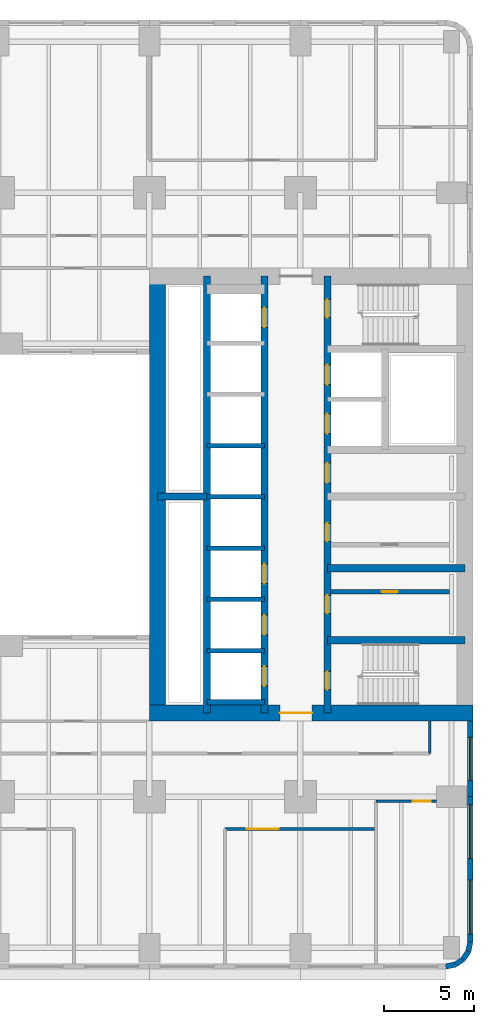
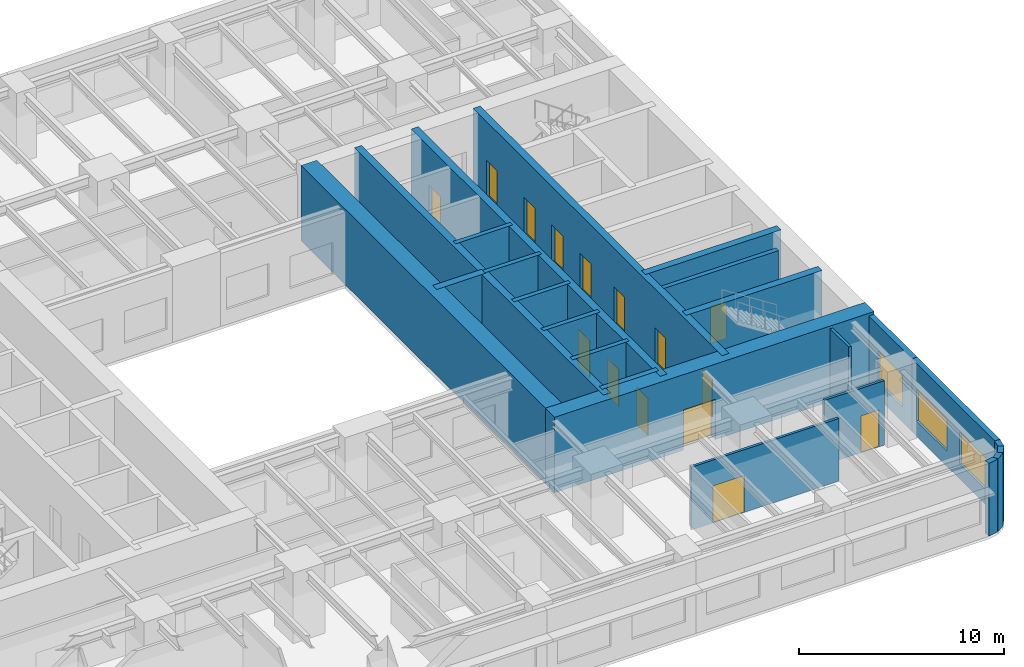
# One storey, part 5 of 14: 24 walls, 15 doors, 3 windows, 18 openings.
"""IFC4 building model written with IfcOpenShell, lengths in metres."""

from ifc_helpers import new_model, si_unit, direction, frame, frame_2d, origin, place, context, subcontext, project, spatial, rectangle, extrude, material, layer, layer_set, type_object, element, fill, save


model = new_model("IFC4")

# Units and contexts
model_context = context("Model", 3, precision=1e-05, world=origin(), true_north=direction((0.0, 1.0)))
body_context = subcontext(model_context, "Body", "Model", "MODEL_VIEW")
ifc_project = project(units=[si_unit("LENGTHUNIT", "METRE"), si_unit("AREAUNIT", "SQUARE_METRE"), si_unit("VOLUMEUNIT", "CUBIC_METRE"), si_unit("PLANEANGLEUNIT", "RADIAN"), si_unit("MASSUNIT", "GRAM", prefix="KILO")], contexts=[model_context])

# Site, building, storey
site_placement = place(None, origin())
site = spatial("IfcSite", under=ifc_project, at=site_placement, CompositionType="ELEMENT")
building_placement = place(site_placement, origin())
building = spatial("IfcBuilding", under=site, at=building_placement, Name="Claustro Exchange Tower", CompositionType="ELEMENT")
storey_placement = place(building_placement, frame((0.0, 0.0, 72.89990234375)))
storey = spatial("IfcBuildingStorey", under=building, at=storey_placement, Name="L16", CompositionType="ELEMENT", Elevation=72.89990234375)

# Wall, opening, door
ifc_material_1 = material(Name="Gypsum board on steel studs", Category="steel")
ifc_layer_1 = layer(ifc_material_1, 0.14990234375)
ifc_layer_set_1 = layer_set([ifc_layer_1], Name="Gypsum board on steel studs")
wall_type_1 = type_object("IfcWallType", Name="P1 150 plasterboard partition", PredefinedType="PARTITIONING", material=ifc_layer_set_1)
wall_1_placement = place(storey_placement, frame((46.199951171875, 8.14990234375, 0.0), z_axis=(0.0, 0.0, 1.0), x_axis=(1.0, 0.0, 0.0)))
wall_1 = element("IfcWall", 1, at=wall_1_placement, inside=storey, type_object=wall_type_1, Name="Partition P1 L16", PredefinedType="PARTITIONING", context=body_context, shape_type="SweptSolid", body=[
    extrude(rectangle(XDim=3.3759765625, YDim=0.14990234375, at=frame_2d((1.68798828125, 0.0))), origin(), (0.0, 0.0, 1.0), 3.840087890625),
])
opening_1_placement = place(wall_1_placement, frame((2.050048828125, 0.0, 0.0)))
opening_1 = element("IfcOpeningElement", 2, at=opening_1_placement, cuts=wall_1, Name="Opening D1", PredefinedType="OPENING", context=body_context, shape_type="SweptSolid", body=[
    extrude(rectangle(XDim=1.0, YDim=2.199951171875, at=frame_2d((0.5, 1.10009765625))), frame((0.0, 0.0849609375, 0.0), z_axis=(0.0, -1.0, 0.0), x_axis=(1.0, 0.0, 0.0)), (0.0, 0.0, 1.0), 0.169921875),
])
ifc_material_2 = material(Name="Timber door, oak veneer", Category="wood")
door_type_1 = type_object("IfcDoorType", Name="D1 1000 x 2200 single door", OperationType="SINGLE_SWING_LEFT", PredefinedType="DOOR", material=ifc_material_2)
door_1_placement = place(opening_1_placement, frame((1.0, 0.0, 0.0), z_axis=(0.0, 0.0, 1.0), x_axis=(-1.0, 0.0, 0.0)))
door_1 = element("IfcDoor", 3, at=door_1_placement, inside=storey, type_object=door_type_1, Name="Door D1 L16", OperationType="SINGLE_SWING_RIGHT", OverallHeight=2.199951171875, OverallWidth=1.0, PredefinedType="DOOR", context=body_context, shape_type="SweptSolid", body=[
    extrude(rectangle(XDim=1.0, YDim=2.199951171875, at=frame_2d((0.5, 1.10009765625))), frame((0.0, 0.02490234375, 0.0), z_axis=(0.0, -1.0, 0.0), x_axis=(1.0, 0.0, 0.0)), (0.0, 0.0, 1.0), 0.050048828125),
])
fill(opening_1, door_1)

wall_2_placement = place(storey_placement, frame((37.800048828125, 6.60009765625, 0.0), z_axis=(0.0, 0.0, 1.0), x_axis=(1.0, 0.0, 0.0)))
wall_2 = element("IfcWall", 4, at=wall_2_placement, inside=storey, type_object=wall_type_1, Name="Partition P1 L16", PredefinedType="PARTITIONING", context=body_context, shape_type="SweptSolid", body=[
    extrude(rectangle(XDim=8.325927734375, YDim=0.14990234375, at=frame_2d((4.1630859375, 0.0))), origin(), (0.0, 0.0, 1.0), 3.739990234375),
])
opening_2_placement = place(wall_2_placement, frame((1.199951171875, 0.0, 0.0)))
opening_2 = element("IfcOpeningElement", 5, at=opening_2_placement, cuts=wall_2, Name="Opening D2", PredefinedType="OPENING", context=body_context, shape_type="SweptSolid", body=[
    extrude(rectangle(XDim=1.800048828125, YDim=2.199951171875, at=frame_2d((0.89990234375, 1.10009765625))), frame((0.0, 0.0849609375, 0.0), z_axis=(0.0, -1.0, 0.0), x_axis=(1.0, 0.0, 0.0)), (0.0, 0.0, 1.0), 0.169921875),
])
ifc_material_3 = material(Name="Timber door, oak veneer", Category="wood")
door_type_2 = type_object("IfcDoorType", Name="D2 1800 x 2200 double door", OperationType="DOUBLE_DOOR_SINGLE_SWING", PredefinedType="DOOR", material=ifc_material_3)
door_2_placement = place(opening_2_placement, frame((1.800048828125, 0.0, 0.0), z_axis=(0.0, 0.0, 1.0), x_axis=(-1.0, 0.0, 0.0)))
door_2 = element("IfcDoor", 6, at=door_2_placement, inside=storey, type_object=door_type_2, Name="Double door D2 L16", OperationType="DOUBLE_DOOR_SINGLE_SWING", OverallHeight=2.199951171875, OverallWidth=1.800048828125, PredefinedType="DOOR", context=body_context, shape_type="SweptSolid", body=[
    extrude(rectangle(XDim=1.800048828125, YDim=2.199951171875, at=frame_2d((0.89990234375, 1.10009765625))), frame((0.0, 0.02490234375, 0.0), z_axis=(0.0, -1.0, 0.0), x_axis=(1.0, 0.0, 0.0)), (0.0, 0.0, 1.0), 0.050048828125),
])
fill(opening_2, door_2)

# Wall
wall_3_placement = place(storey_placement, frame((49.199951171875, 10.800048828125, 0.0), z_axis=(0.0, 0.0, 1.0), x_axis=(0.0, 1.0, 0.0)))
element("IfcWall", 7, at=wall_3_placement, inside=storey, type_object=wall_type_1, Name="Partition P1 L16", PredefinedType="PARTITIONING", context=body_context, shape_type="SweptSolid", body=[
    extrude(rectangle(XDim=1.802001953125, YDim=0.14990234375, at=frame_2d((0.90087890625, 0.0))), origin(), (0.0, 0.0, 1.0), 4.340087890625),
])

# Wall, opening, door
ifc_material_4 = material(Name="Concrete blockwork, rendered", Category="masonry")
ifc_layer_2 = layer(ifc_material_4, 0.25)
ifc_layer_set_2 = layer_set([ifc_layer_2], Name="Concrete blockwork, rendered")
wall_type_2 = type_object("IfcWallType", Name="P4 250 blockwork wall", PredefinedType="PARTITIONING", material=ifc_layer_set_2)
wall_4_placement = place(storey_placement, frame((43.699951171875, 19.800048828125, 0.0), z_axis=(0.0, 0.0, 1.0), x_axis=(1.0, 0.0, 0.0)))
wall_4 = element("IfcWall", 8, at=wall_4_placement, inside=storey, type_object=wall_type_2, Name="Partition P4 L16", PredefinedType="PARTITIONING", context=body_context, shape_type="SweptSolid", body=[
    extrude(rectangle(XDim=6.60009765625, YDim=0.25, at=frame_2d((3.300048828125, 0.0))), origin(), (0.0, 0.0, 1.0), 4.300048828125),
])
opening_3_placement = place(wall_4_placement, frame((2.824951171875, 0.0, 0.0)))
opening_3 = element("IfcOpeningElement", 9, at=opening_3_placement, cuts=wall_4, Name="Opening D5", PredefinedType="OPENING", context=body_context, shape_type="SweptSolid", body=[
    extrude(rectangle(XDim=0.89990234375, YDim=2.199951171875, at=frame_2d((0.449951171875, 1.10009765625))), frame((0.0, 0.135009765625, 0.0), z_axis=(0.0, -1.0, 0.0), x_axis=(1.0, 0.0, 0.0)), (0.0, 0.0, 1.0), 0.27001953125),
])
ifc_material_5 = material(Name="Steel door, painted", Category="steel")
door_type_3 = type_object("IfcDoorType", Name="D5 900 x 2200 store door", OperationType="SINGLE_SWING_LEFT", PredefinedType="DOOR", material=ifc_material_5)
door_3_placement = place(opening_3_placement, origin())
door_3 = element("IfcDoor", 10, at=door_3_placement, inside=storey, type_object=door_type_3, Name="Store door D5 L16", OperationType="SINGLE_SWING_RIGHT", OverallHeight=2.199951171875, OverallWidth=0.89990234375, PredefinedType="DOOR", context=body_context, shape_type="SweptSolid", body=[
    extrude(rectangle(XDim=0.89990234375, YDim=2.199951171875, at=frame_2d((0.449951171875, 1.10009765625))), frame((0.0, 0.02490234375, 0.0), z_axis=(0.0, -1.0, 0.0), x_axis=(1.0, 0.0, 0.0)), (0.0, 0.0, 1.0), 0.050048828125),
])
fill(opening_3, door_3)

# Wall, opening, window
ifc_material_6 = material(Name="Concrete HA-40 (C40/50), precast, white cement, acid-etched", Category="concrete")
ifc_layer_3 = layer(ifc_material_6, 0.300048828125)
ifc_layer_set_3 = layer_set([ifc_layer_3], Name="Concrete HA-40 (C40/50), precast, white cement, acid-etched")
wall_type_3 = type_object("IfcWallType", Name="PC1 300 precast concrete pier panel", PredefinedType="SOLIDWALL", material=ifc_layer_set_3)
wall_5_placement = place(storey_placement, frame((51.449951171875, 12.60009765625, 0.0), z_axis=(0.0, 0.0, 1.0), x_axis=(0.0, -1.0, 0.0)))
wall_5 = element("IfcWall", 11, at=wall_5_placement, inside=storey, type_object=wall_type_3, Name="Precast pier panel PC1 L16", PredefinedType="SOLIDWALL", context=body_context, shape_type="SweptSolid", body=[
    extrude(rectangle(XDim=4.2001953125, YDim=0.300048828125, at=frame_2d((2.10009765625, 0.0))), origin(), (0.0, 0.0, 1.0), 4.340087890625),
])
opening_4_placement = place(wall_5_placement, frame((0.89990234375, 0.0, 0.89990234375)))
opening_4 = element("IfcOpeningElement", 12, at=opening_4_placement, cuts=wall_5, Name="Opening W2", PredefinedType="OPENING", context=body_context, shape_type="SweptSolid", body=[
    extrude(rectangle(XDim=2.39990234375, YDim=1.89990234375, at=frame_2d((1.199951171875, 0.949951171875))), frame((0.0, 0.159912109375, 0.0), z_axis=(0.0, -1.0, 0.0), x_axis=(1.0, 0.0, 0.0)), (0.0, 0.0, 1.0), 0.320068359375),
])
ifc_material_7 = material(Name="Aluminium frame, clear double glazing", Category="aluminium")
window_type_1 = type_object("IfcWindowType", Name="W2 2400 x 1900 window", PartitioningType="SINGLE_PANEL", PredefinedType="WINDOW", material=ifc_material_7)
window_1_placement = place(opening_4_placement, origin())
window_1 = element("IfcWindow", 13, at=window_1_placement, inside=storey, type_object=window_type_1, Name="Window W2 L16", OverallHeight=1.89990234375, OverallWidth=2.39990234375, PartitioningType="SINGLE_PANEL", PredefinedType="WINDOW", context=body_context, shape_type="SweptSolid", body=[
    extrude(rectangle(XDim=2.39990234375, YDim=1.89990234375, at=frame_2d((1.199951171875, 0.949951171875))), frame((0.0, 0.030029296875, 0.0), z_axis=(0.0, -1.0, 0.0), x_axis=(1.0, 0.0, 0.0)), (0.0, 0.0, 1.0), 0.06005859375),
])
fill(opening_4, window_1)

# Wall, openings, windows
wall_6_placement = place(storey_placement, frame((51.449951171875, 8.39990234375, 0.0), z_axis=(0.0, 0.0, 1.0), x_axis=(0.0, -1.0, 0.0)))
wall_6 = element("IfcWall", 14, at=wall_6_placement, inside=storey, type_object=wall_type_3, Name="Precast pier panel PC1 L16", PredefinedType="SOLIDWALL", context=body_context, shape_type="SweptSolid", body=[
    extrude(rectangle(XDim=8.085205078125, YDim=0.300048828125, at=frame_2d((4.04248046875, 0.0))), origin(), (0.0, 0.0, 1.0), 4.340087890625),
])
opening_5_placement = place(wall_6_placement, frame((0.442626953125, 0.0, 0.89990234375)))
opening_5 = element("IfcOpeningElement", 15, at=opening_5_placement, cuts=wall_6, Name="Opening W1", PredefinedType="OPENING", context=body_context, shape_type="SweptSolid", body=[
    extrude(rectangle(XDim=3.0, YDim=1.89990234375, at=frame_2d((1.5, 0.949951171875))), frame((0.0, 0.159912109375, 0.0), z_axis=(0.0, -1.0, 0.0), x_axis=(1.0, 0.0, 0.0)), (0.0, 0.0, 1.0), 0.320068359375),
])
opening_6_placement = place(wall_6_placement, frame((4.642578125, 0.0, 0.89990234375)))
opening_6 = element("IfcOpeningElement", 16, at=opening_6_placement, cuts=wall_6, Name="Opening W1", PredefinedType="OPENING", context=body_context, shape_type="SweptSolid", body=[
    extrude(rectangle(XDim=3.0, YDim=1.89990234375, at=frame_2d((1.5, 0.949951171875))), frame((0.0, 0.159912109375, 0.0), z_axis=(0.0, -1.0, 0.0), x_axis=(1.0, 0.0, 0.0)), (0.0, 0.0, 1.0), 0.320068359375),
])
ifc_material_8 = material(Name="Aluminium frame, clear double glazing", Category="aluminium")
window_type_2 = type_object("IfcWindowType", Name="W1 3000 x 1900 window", PartitioningType="SINGLE_PANEL", PredefinedType="WINDOW", material=ifc_material_8)
window_2_placement = place(opening_5_placement, origin())
window_2 = element("IfcWindow", 17, at=window_2_placement, inside=storey, type_object=window_type_2, Name="Window W1 L16", OverallHeight=1.89990234375, OverallWidth=3.0, PartitioningType="SINGLE_PANEL", PredefinedType="WINDOW", context=body_context, shape_type="SweptSolid", body=[
    extrude(rectangle(XDim=3.0, YDim=1.89990234375, at=frame_2d((1.5, 0.949951171875))), frame((0.0, 0.030029296875, 0.0), z_axis=(0.0, -1.0, 0.0), x_axis=(1.0, 0.0, 0.0)), (0.0, 0.0, 1.0), 0.06005859375),
])
fill(opening_5, window_2)
window_3_placement = place(opening_6_placement, origin())
window_3 = element("IfcWindow", 18, at=window_3_placement, inside=storey, type_object=window_type_2, Name="Window W1 L16", OverallHeight=1.89990234375, OverallWidth=3.0, PartitioningType="SINGLE_PANEL", PredefinedType="WINDOW", context=body_context, shape_type="SweptSolid", body=[
    extrude(rectangle(XDim=3.0, YDim=1.89990234375, at=frame_2d((1.5, 0.949951171875))), frame((0.0, 0.030029296875, 0.0), z_axis=(0.0, -1.0, 0.0), x_axis=(1.0, 0.0, 0.0)), (0.0, 0.0, 1.0), 0.06005859375),
])
fill(opening_6, window_3)

# Walls
wall_7_placement = place(storey_placement, frame((51.449951171875, 0.314697265625, 0.0), z_axis=(0.0, 0.0, 1.0), x_axis=(-0.195073962632, -0.980788534345, 0.0)))
element("IfcWall", 19, at=wall_7_placement, inside=storey, type_object=wall_type_3, Name="Precast pier panel PC1 L16", PredefinedType="SOLIDWALL", context=body_context, shape_type="SweptSolid", body=[
    extrude(rectangle(XDim=0.540771484375, YDim=0.300048828125, at=frame_2d((0.2705078125, 0.0))), origin(), (0.0, 0.0, 1.0), 4.340087890625),
])
for number, where, z_axis, x_axis, name in (
    (20, (51.344482421875, -0.215576171875, 0.0), (0.0, 0.0, 1.0), (-0.555557463938, -0.831478144188, 0.0), "Precast pier panel PC1 L16"),
    (21, (51.052490234375, -0.652587890625, 0.0), (0.0, 0.0, 1.0), (-0.831478144188, -0.555557463938, 0.0), "Precast pier panel PC1 L16"),
):
    element("IfcWall", number, at=place(storey_placement, frame(where, z_axis=z_axis, x_axis=x_axis)), inside=storey, type_object=wall_type_3, Name=name, PredefinedType="SOLIDWALL", context=body_context, shape_type="SweptSolid", body=[
        extrude(rectangle(XDim=0.525634765625, YDim=0.300048828125, at=frame_2d((0.2626953125, 0.0))), origin(), (0.0, 0.0, 1.0), 4.340087890625),
    ])
wall_8_placement = place(storey_placement, frame((50.615478515625, -0.944580078125, 0.0), z_axis=(0.0, 0.0, 1.0), x_axis=(-0.980788534345, -0.195073962632, 0.0)))
element("IfcWall", 22, at=wall_8_placement, inside=storey, type_object=wall_type_3, Name="Precast pier panel PC1 L16", PredefinedType="SOLIDWALL", context=body_context, shape_type="SweptSolid", body=[
    extrude(rectangle(XDim=0.540771484375, YDim=0.300048828125, at=frame_2d((0.2705078125, 0.0))), origin(), (0.0, 0.0, 1.0), 4.340087890625),
])

# Wall, opening, door
ifc_material_9 = material(Name="Concrete HA-70 (C70/85)", Category="concrete")
ifc_layer_4 = layer(ifc_material_9, 0.89990234375)
ifc_layer_set_4 = layer_set([ifc_layer_4], Name="Concrete HA-70 (C70/85)")
wall_type_4 = type_object("IfcWallType", Name="SW1 900 core shear wall", PredefinedType="SHEAR", material=ifc_layer_set_4)
wall_9_placement = place(storey_placement, frame((33.60009765625, 13.050048828125, 0.0), z_axis=(0.0, 0.0, 1.0), x_axis=(1.0, 0.0, 0.0)))
wall_9 = element("IfcWall", 23, at=wall_9_placement, inside=storey, type_object=wall_type_4, Name="Core wall SW1 E core S face L16", PredefinedType="SHEAR", context=body_context, shape_type="SweptSolid", body=[
    extrude(rectangle(XDim=18.0, YDim=0.89990234375, at=frame_2d((9.0, 0.0))), origin(), (0.0, 0.0, 1.0), 4.5),
])
opening_7_placement = place(wall_9_placement, frame((7.25, 0.0, 0.0)))
opening_7 = element("IfcOpeningElement", 24, at=opening_7_placement, cuts=wall_9, Name="Opening D3", PredefinedType="OPENING", context=body_context, shape_type="SweptSolid", body=[
    extrude(rectangle(XDim=1.800048828125, YDim=2.39990234375, at=frame_2d((0.89990234375, 1.199951171875))), frame((0.0, 0.4599609375, 0.0), z_axis=(0.0, -1.0, 0.0), x_axis=(1.0, 0.0, 0.0)), (0.0, 0.0, 1.0), 0.919921875),
])
ifc_material_10 = material(Name="Steel fire door, painted", Category="steel")
door_type_4 = type_object("IfcDoorType", Name="D3 1800 x 2400 fire-rated lobby double door", OperationType="DOUBLE_DOOR_SINGLE_SWING", PredefinedType="DOOR", material=ifc_material_10)
door_4_placement = place(opening_7_placement, origin())
door_4 = element("IfcDoor", 25, at=door_4_placement, inside=storey, type_object=door_type_4, Name="Lift lobby door D3 L16", OperationType="DOUBLE_DOOR_SINGLE_SWING", OverallHeight=2.39990234375, OverallWidth=1.800048828125, PredefinedType="DOOR", context=body_context, shape_type="SweptSolid", body=[
    extrude(rectangle(XDim=1.800048828125, YDim=2.39990234375, at=frame_2d((0.89990234375, 1.199951171875))), frame((0.0, 0.02490234375, 0.0), z_axis=(0.0, -1.0, 0.0), x_axis=(1.0, 0.0, 0.0)), (0.0, 0.0, 1.0), 0.050048828125),
])
fill(opening_7, door_4)

# Wall
ifc_material_11 = material(Name="Concrete HA-70 (C70/85)", Category="concrete")
ifc_layer_5 = layer(ifc_material_11, 0.89990234375)
ifc_layer_set_5 = layer_set([ifc_layer_5], Name="Concrete HA-70 (C70/85)")
wall_type_5 = type_object("IfcWallType", Name="SW1X 900 exposed core shear wall, board-marked face", PredefinedType="SHEAR", material=ifc_layer_set_5)
wall_10_placement = place(storey_placement, frame((34.050048828125, 13.050048828125, 0.0), z_axis=(0.0, 0.0, 1.0), x_axis=(0.0, 1.0, 0.0)))
element("IfcWall", 26, at=wall_10_placement, inside=storey, type_object=wall_type_5, Name="Core wall SW1X E core W face L16", PredefinedType="SHEAR", context=body_context, shape_type="SweptSolid", body=[
    extrude(rectangle(XDim=24.300048828125, YDim=0.89990234375, at=frame_2d((12.14990234375, 0.0))), origin(), (0.0, 0.0, 1.0), 4.5),
])

# Wall, openings, doors
ifc_material_12 = material(Name="Concrete HA-50 (C50/60)", Category="concrete")
ifc_layer_6 = layer(ifc_material_12, 0.39990234375)
ifc_layer_set_6 = layer_set([ifc_layer_6], Name="Concrete HA-50 (C50/60)")
wall_type_6 = type_object("IfcWallType", Name="SW4 400 internal core wall", PredefinedType="SHEAR", material=ifc_layer_set_6)
wall_11_placement = place(storey_placement, frame((43.5, 13.050048828125, 0.0), z_axis=(0.0, 0.0, 1.0), x_axis=(0.0, 1.0, 0.0)))
wall_11 = element("IfcWall", 27, at=wall_11_placement, inside=storey, type_object=wall_type_6, Name="Internal core wall SW4 E core L16", PredefinedType="SHEAR", context=body_context, shape_type="SweptSolid", body=[
    extrude(rectangle(XDim=24.300048828125, YDim=0.39990234375, at=frame_2d((12.14990234375, 0.0))), origin(), (0.0, 0.0, 1.0), 4.5),
])
opening_8_placement = place(wall_11_placement, frame((1.300048828125, 0.0, 0.0)))
opening_8 = element("IfcOpeningElement", 28, at=opening_8_placement, cuts=wall_11, Name="Opening D4", PredefinedType="OPENING", context=body_context, shape_type="SweptSolid", body=[
    extrude(rectangle(XDim=1.0, YDim=2.199951171875, at=frame_2d((0.5, 1.10009765625))), frame((0.0, 0.2099609375, 0.0), z_axis=(0.0, -1.0, 0.0), x_axis=(1.0, 0.0, 0.0)), (0.0, 0.0, 1.0), 0.419921875),
])
opening_9_placement = place(wall_11_placement, frame((22.0, 0.0, 0.0)))
opening_9 = element("IfcOpeningElement", 29, at=opening_9_placement, cuts=wall_11, Name="Opening D4", PredefinedType="OPENING", context=body_context, shape_type="SweptSolid", body=[
    extrude(rectangle(XDim=1.0, YDim=2.199951171875, at=frame_2d((0.5, 1.10009765625))), frame((0.0, 0.2099609375, 0.0), z_axis=(0.0, -1.0, 0.0), x_axis=(1.0, 0.0, 0.0)), (0.0, 0.0, 1.0), 0.419921875),
])
opening_10_placement = place(wall_11_placement, frame((5.550048828125, 0.0, 0.0)))
opening_10 = element("IfcOpeningElement", 30, at=opening_10_placement, cuts=wall_11, Name="Opening D1", PredefinedType="OPENING", context=body_context, shape_type="SweptSolid", body=[
    extrude(rectangle(XDim=1.0, YDim=2.199951171875, at=frame_2d((0.5, 1.10009765625))), frame((0.0, 0.2099609375, 0.0), z_axis=(0.0, -1.0, 0.0), x_axis=(1.0, 0.0, 0.0)), (0.0, 0.0, 1.0), 0.419921875),
])
opening_11_placement = place(wall_11_placement, frame((9.550048828125, 0.0, 0.0)))
opening_11 = element("IfcOpeningElement", 31, at=opening_11_placement, cuts=wall_11, Name="Opening D1", PredefinedType="OPENING", context=body_context, shape_type="SweptSolid", body=[
    extrude(rectangle(XDim=1.0, YDim=2.199951171875, at=frame_2d((0.5, 1.10009765625))), frame((0.0, 0.2099609375, 0.0), z_axis=(0.0, -1.0, 0.0), x_axis=(1.0, 0.0, 0.0)), (0.0, 0.0, 1.0), 0.419921875),
])
opening_12_placement = place(wall_11_placement, frame((12.800048828125, 0.0, 0.0)))
opening_12 = element("IfcOpeningElement", 32, at=opening_12_placement, cuts=wall_11, Name="Opening D10", PredefinedType="OPENING", context=body_context, shape_type="SweptSolid", body=[
    extrude(rectangle(XDim=1.10009765625, YDim=2.199951171875, at=frame_2d((0.550048828125, 1.10009765625))), frame((0.0, 0.2099609375, 0.0), z_axis=(0.0, -1.0, 0.0), x_axis=(1.0, 0.0, 0.0)), (0.0, 0.0, 1.0), 0.419921875),
])
opening_13_placement = place(wall_11_placement, frame((15.53759765625, 0.0, 0.0)))
opening_13 = element("IfcOpeningElement", 33, at=opening_13_placement, cuts=wall_11, Name="Opening LD", PredefinedType="OPENING", context=body_context, shape_type="SweptSolid", body=[
    extrude(rectangle(XDim=1.10009765625, YDim=2.199951171875, at=frame_2d((0.550048828125, 1.10009765625))), frame((0.0, 0.2099609375, 0.0), z_axis=(0.0, -1.0, 0.0), x_axis=(1.0, 0.0, 0.0)), (0.0, 0.0, 1.0), 0.419921875),
])
opening_14_placement = place(wall_11_placement, frame((18.262451171875, 0.0, 0.0)))
opening_14 = element("IfcOpeningElement", 34, at=opening_14_placement, cuts=wall_11, Name="Opening LD", PredefinedType="OPENING", context=body_context, shape_type="SweptSolid", body=[
    extrude(rectangle(XDim=1.10009765625, YDim=2.199951171875, at=frame_2d((0.550048828125, 1.10009765625))), frame((0.0, 0.2099609375, 0.0), z_axis=(0.0, -1.0, 0.0), x_axis=(1.0, 0.0, 0.0)), (0.0, 0.0, 1.0), 0.419921875),
])
door_5_placement = place(opening_10_placement, frame((1.0, 0.0, 0.0), z_axis=(0.0, 0.0, 1.0), x_axis=(-1.0, 0.0, 0.0)))
door_5 = element("IfcDoor", 35, at=door_5_placement, inside=storey, type_object=door_type_1, Name="Door D1 L16", OperationType="SINGLE_SWING_LEFT", OverallHeight=2.199951171875, OverallWidth=1.0, PredefinedType="DOOR", context=body_context, shape_type="SweptSolid", body=[
    extrude(rectangle(XDim=1.0, YDim=2.199951171875, at=frame_2d((0.5, 1.10009765625))), frame((0.0, 0.02490234375, 0.0), z_axis=(0.0, -1.0, 0.0), x_axis=(1.0, 0.0, 0.0)), (0.0, 0.0, 1.0), 0.050048828125),
])
fill(opening_10, door_5)
door_6_placement = place(opening_11_placement, frame((1.0, 0.0, 0.0), z_axis=(0.0, 0.0, 1.0), x_axis=(-1.0, 0.0, 0.0)))
door_6 = element("IfcDoor", 36, at=door_6_placement, inside=storey, type_object=door_type_1, Name="Door D1 L16", OperationType="SINGLE_SWING_RIGHT", OverallHeight=2.199951171875, OverallWidth=1.0, PredefinedType="DOOR", context=body_context, shape_type="SweptSolid", body=[
    extrude(rectangle(XDim=1.0, YDim=2.199951171875, at=frame_2d((0.5, 1.10009765625))), frame((0.0, 0.02490234375, 0.0), z_axis=(0.0, -1.0, 0.0), x_axis=(1.0, 0.0, 0.0)), (0.0, 0.0, 1.0), 0.050048828125),
])
fill(opening_11, door_6)
ifc_material_13 = material(Name="Timber door, oak veneer", Category="wood")
door_type_5 = type_object("IfcDoorType", Name="D10 1100 x 2200 accessible WC door", OperationType="SINGLE_SWING_LEFT", PredefinedType="DOOR", material=ifc_material_13)
door_7_placement = place(opening_12_placement, origin())
door_7 = element("IfcDoor", 37, at=door_7_placement, inside=storey, type_object=door_type_5, Name="Accessible WC door D10 L16", OperationType="SINGLE_SWING_RIGHT", OverallHeight=2.199951171875, OverallWidth=1.10009765625, PredefinedType="DOOR", context=body_context, shape_type="SweptSolid", body=[
    extrude(rectangle(XDim=1.10009765625, YDim=2.199951171875, at=frame_2d((0.550048828125, 1.10009765625))), frame((0.0, 0.02490234375, 0.0), z_axis=(0.0, -1.0, 0.0), x_axis=(1.0, 0.0, 0.0)), (0.0, 0.0, 1.0), 0.050048828125),
])
fill(opening_12, door_7)
ifc_material_14 = material(Name="Steel fire door, painted", Category="steel")
door_type_6 = type_object("IfcDoorType", Name="D4 1000 x 2200 fire-rated stair door", OperationType="SINGLE_SWING_LEFT", PredefinedType="DOOR", material=ifc_material_14)
door_8_placement = place(opening_8_placement, frame((1.0, 0.0, 0.0), z_axis=(0.0, 0.0, 1.0), x_axis=(-1.0, 0.0, 0.0)))
door_8 = element("IfcDoor", 38, at=door_8_placement, inside=storey, type_object=door_type_6, Name="Stair door D4 L16", OperationType="SINGLE_SWING_RIGHT", OverallHeight=2.199951171875, OverallWidth=1.0, PredefinedType="DOOR", context=body_context, shape_type="SweptSolid", body=[
    extrude(rectangle(XDim=1.0, YDim=2.199951171875, at=frame_2d((0.5, 1.10009765625))), frame((0.0, 0.02490234375, 0.0), z_axis=(0.0, -1.0, 0.0), x_axis=(1.0, 0.0, 0.0)), (0.0, 0.0, 1.0), 0.050048828125),
])
fill(opening_8, door_8)
door_9_placement = place(opening_9_placement, frame((1.0, 0.0, 0.0), z_axis=(0.0, 0.0, 1.0), x_axis=(-1.0, 0.0, 0.0)))
door_9 = element("IfcDoor", 39, at=door_9_placement, inside=storey, type_object=door_type_6, Name="Stair door D4 L16", OperationType="SINGLE_SWING_LEFT", OverallHeight=2.199951171875, OverallWidth=1.0, PredefinedType="DOOR", context=body_context, shape_type="SweptSolid", body=[
    extrude(rectangle(XDim=1.0, YDim=2.199951171875, at=frame_2d((0.5, 1.10009765625))), frame((0.0, 0.02490234375, 0.0), z_axis=(0.0, -1.0, 0.0), x_axis=(1.0, 0.0, 0.0)), (0.0, 0.0, 1.0), 0.050048828125),
])
fill(opening_9, door_9)
ifc_material_15 = material(Name="Stainless steel sliding door", Category="steel")
door_type_7 = type_object("IfcDoorType", Name="LD 1100 x 2200 lift landing door", OperationType="DOUBLE_DOOR_SLIDING", PredefinedType="DOOR", material=ifc_material_15)
door_10_placement = place(opening_13_placement, origin())
door_10 = element("IfcDoor", 40, at=door_10_placement, inside=storey, type_object=door_type_7, Name="Lift landing door LEE1 LD L16", OperationType="DOUBLE_DOOR_SLIDING", OverallHeight=2.199951171875, OverallWidth=1.10009765625, PredefinedType="DOOR", context=body_context, shape_type="SweptSolid", body=[
    extrude(rectangle(XDim=1.10009765625, YDim=2.199951171875, at=frame_2d((0.550048828125, 1.10009765625))), frame((0.0, 0.02490234375, 0.0), z_axis=(0.0, -1.0, 0.0), x_axis=(1.0, 0.0, 0.0)), (0.0, 0.0, 1.0), 0.050048828125),
])
fill(opening_13, door_10)
door_11_placement = place(opening_14_placement, origin())
door_11 = element("IfcDoor", 41, at=door_11_placement, inside=storey, type_object=door_type_7, Name="Lift landing door LEE2 LD L16", OperationType="DOUBLE_DOOR_SLIDING", OverallHeight=2.199951171875, OverallWidth=1.10009765625, PredefinedType="DOOR", context=body_context, shape_type="SweptSolid", body=[
    extrude(rectangle(XDim=1.10009765625, YDim=2.199951171875, at=frame_2d((0.550048828125, 1.10009765625))), frame((0.0, 0.02490234375, 0.0), z_axis=(0.0, -1.0, 0.0), x_axis=(1.0, 0.0, 0.0)), (0.0, 0.0, 1.0), 0.050048828125),
])
fill(opening_14, door_11)

wall_12_placement = place(storey_placement, frame((40.0, 13.050048828125, 0.0), z_axis=(0.0, 0.0, 1.0), x_axis=(0.0, 1.0, 0.0)))
wall_12 = element("IfcWall", 42, at=wall_12_placement, inside=storey, type_object=wall_type_6, Name="Internal core wall SW4 E core L16", PredefinedType="SHEAR", context=body_context, shape_type="SweptSolid", body=[
    extrude(rectangle(XDim=24.300048828125, YDim=0.39990234375, at=frame_2d((12.14990234375, 0.0))), origin(), (0.0, 0.0, 1.0), 4.5),
])
opening_15_placement = place(wall_12_placement, frame((1.5, 0.0, 0.0)))
opening_15 = element("IfcOpeningElement", 43, at=opening_15_placement, cuts=wall_12, Name="Opening LD", PredefinedType="OPENING", context=body_context, shape_type="SweptSolid", body=[
    extrude(rectangle(XDim=1.10009765625, YDim=2.199951171875, at=frame_2d((0.550048828125, 1.10009765625))), frame((0.0, 0.2099609375, 0.0), z_axis=(0.0, -1.0, 0.0), x_axis=(1.0, 0.0, 0.0)), (0.0, 0.0, 1.0), 0.419921875),
])
opening_16_placement = place(wall_12_placement, frame((4.35009765625, 0.0, 0.0)))
opening_16 = element("IfcOpeningElement", 44, at=opening_16_placement, cuts=wall_12, Name="Opening LD", PredefinedType="OPENING", context=body_context, shape_type="SweptSolid", body=[
    extrude(rectangle(XDim=1.10009765625, YDim=2.199951171875, at=frame_2d((0.550048828125, 1.10009765625))), frame((0.0, 0.2099609375, 0.0), z_axis=(0.0, -1.0, 0.0), x_axis=(1.0, 0.0, 0.0)), (0.0, 0.0, 1.0), 0.419921875),
])
opening_17_placement = place(wall_12_placement, frame((7.199951171875, 0.0, 0.0)))
opening_17 = element("IfcOpeningElement", 45, at=opening_17_placement, cuts=wall_12, Name="Opening LD", PredefinedType="OPENING", context=body_context, shape_type="SweptSolid", body=[
    extrude(rectangle(XDim=1.10009765625, YDim=2.199951171875, at=frame_2d((0.550048828125, 1.10009765625))), frame((0.0, 0.2099609375, 0.0), z_axis=(0.0, -1.0, 0.0), x_axis=(1.0, 0.0, 0.0)), (0.0, 0.0, 1.0), 0.419921875),
])
opening_18_placement = place(wall_12_placement, frame((21.449951171875, 0.0, 0.0)))
opening_18 = element("IfcOpeningElement", 46, at=opening_18_placement, cuts=wall_12, Name="Opening LD", PredefinedType="OPENING", context=body_context, shape_type="SweptSolid", body=[
    extrude(rectangle(XDim=1.10009765625, YDim=2.199951171875, at=frame_2d((0.550048828125, 1.10009765625))), frame((0.0, 0.2099609375, 0.0), z_axis=(0.0, -1.0, 0.0), x_axis=(1.0, 0.0, 0.0)), (0.0, 0.0, 1.0), 0.419921875),
])
door_12_placement = place(opening_15_placement, origin())
door_12 = element("IfcDoor", 47, at=door_12_placement, inside=storey, type_object=door_type_7, Name="Lift landing door LLE1 LD L16", OperationType="DOUBLE_DOOR_SLIDING", OverallHeight=2.199951171875, OverallWidth=1.10009765625, PredefinedType="DOOR", context=body_context, shape_type="SweptSolid", body=[
    extrude(rectangle(XDim=1.10009765625, YDim=2.199951171875, at=frame_2d((0.550048828125, 1.10009765625))), frame((0.0, 0.02490234375, 0.0), z_axis=(0.0, -1.0, 0.0), x_axis=(1.0, 0.0, 0.0)), (0.0, 0.0, 1.0), 0.050048828125),
])
fill(opening_15, door_12)
door_13_placement = place(opening_16_placement, origin())
door_13 = element("IfcDoor", 48, at=door_13_placement, inside=storey, type_object=door_type_7, Name="Lift landing door LLE2 LD L16", OperationType="DOUBLE_DOOR_SLIDING", OverallHeight=2.199951171875, OverallWidth=1.10009765625, PredefinedType="DOOR", context=body_context, shape_type="SweptSolid", body=[
    extrude(rectangle(XDim=1.10009765625, YDim=2.199951171875, at=frame_2d((0.550048828125, 1.10009765625))), frame((0.0, 0.02490234375, 0.0), z_axis=(0.0, -1.0, 0.0), x_axis=(1.0, 0.0, 0.0)), (0.0, 0.0, 1.0), 0.050048828125),
])
fill(opening_16, door_13)
door_14_placement = place(opening_17_placement, origin())
door_14 = element("IfcDoor", 49, at=door_14_placement, inside=storey, type_object=door_type_7, Name="Lift landing door LLE3 LD L16", OperationType="DOUBLE_DOOR_SLIDING", OverallHeight=2.199951171875, OverallWidth=1.10009765625, PredefinedType="DOOR", context=body_context, shape_type="SweptSolid", body=[
    extrude(rectangle(XDim=1.10009765625, YDim=2.199951171875, at=frame_2d((0.550048828125, 1.10009765625))), frame((0.0, 0.02490234375, 0.0), z_axis=(0.0, -1.0, 0.0), x_axis=(1.0, 0.0, 0.0)), (0.0, 0.0, 1.0), 0.050048828125),
])
fill(opening_17, door_14)
door_15_placement = place(opening_18_placement, origin())
door_15 = element("IfcDoor", 50, at=door_15_placement, inside=storey, type_object=door_type_7, Name="Lift landing door LSE1 LD L16", OperationType="DOUBLE_DOOR_SLIDING", OverallHeight=2.199951171875, OverallWidth=1.10009765625, PredefinedType="DOOR", context=body_context, shape_type="SweptSolid", body=[
    extrude(rectangle(XDim=1.10009765625, YDim=2.199951171875, at=frame_2d((0.550048828125, 1.10009765625))), frame((0.0, 0.02490234375, 0.0), z_axis=(0.0, -1.0, 0.0), x_axis=(1.0, 0.0, 0.0)), (0.0, 0.0, 1.0), 0.050048828125),
])
fill(opening_18, door_15)

# Walls
wall_13_placement = place(storey_placement, frame((36.800048828125, 13.050048828125, 0.0), z_axis=(0.0, 0.0, 1.0), x_axis=(0.0, 1.0, 0.0)))
element("IfcWall", 51, at=wall_13_placement, inside=storey, type_object=wall_type_6, Name="Internal core wall SW4 E core L16", PredefinedType="SHEAR", context=body_context, shape_type="SweptSolid", body=[
    extrude(rectangle(XDim=24.300048828125, YDim=0.39990234375, at=frame_2d((12.14990234375, 0.0))), origin(), (0.0, 0.0, 1.0), 4.5),
])
for number, where, z_axis, x_axis, name in (
    (52, (51.14990234375, 17.10009765625, 0.0), (0.0, 0.0, 1.0), (-1.0, 0.0, 0.0), "Internal core wall SW4 E core L16"),
    (53, (51.14990234375, 21.10009765625, 0.0), (0.0, 0.0, 1.0), (-1.0, 0.0, 0.0), "Internal core wall SW4 E core L16"),
):
    element("IfcWall", number, at=place(storey_placement, frame(where, z_axis=z_axis, x_axis=x_axis)), inside=storey, type_object=wall_type_6, Name=name, PredefinedType="SHEAR", context=body_context, shape_type="SweptSolid", body=[
        extrude(rectangle(XDim=7.64990234375, YDim=0.39990234375, at=frame_2d((3.824951171875, 0.0))), origin(), (0.0, 0.0, 1.0), 4.5),
    ])
wall_14_placement = place(storey_placement, frame((36.800048828125, 25.10009765625, 0.0), z_axis=(0.0, 0.0, 1.0), x_axis=(-1.0, 0.0, 0.0)))
element("IfcWall", 54, at=wall_14_placement, inside=storey, type_object=wall_type_6, Name="Internal core wall SW4 E core L16", PredefinedType="SHEAR", context=body_context, shape_type="SweptSolid", body=[
    extrude(rectangle(XDim=2.75, YDim=0.39990234375, at=frame_2d((1.375, 0.0))), origin(), (0.0, 0.0, 1.0), 4.5),
])
ifc_material_16 = material(Name="Concrete HA-50 (C50/60)", Category="concrete")
ifc_layer_7 = layer(ifc_material_16, 0.25)
ifc_layer_set_7 = layer_set([ifc_layer_7], Name="Concrete HA-50 (C50/60)")
wall_type_7 = type_object("IfcWallType", Name="SW5 250 lift shaft divider wall", PredefinedType="SHEAR", material=ifc_layer_set_7)
for number, where, z_axis, x_axis, name in (
    (55, (40.0, 16.52490234375, 0.0), (0.0, 0.0, 1.0), (-1.0, 0.0, 0.0), "Lift shaft wall E core L16"),
    (56, (40.0, 19.375, 0.0), (0.0, 0.0, 1.0), (-1.0, 0.0, 0.0), "Lift shaft wall E core L16"),
    (57, (40.0, 22.22509765625, 0.0), (0.0, 0.0, 1.0), (-1.0, 0.0, 0.0), "Lift shaft wall E core L16"),
    (58, (40.0, 25.074951171875, 0.0), (0.0, 0.0, 1.0), (-1.0, 0.0, 0.0), "Lift shaft wall E core L16"),
    (59, (40.0, 27.925048828125, 0.0), (0.0, 0.0, 1.0), (-1.0, 0.0, 0.0), "Lift shaft wall E core L16"),
):
    element("IfcWall", number, at=place(storey_placement, frame(where, z_axis=z_axis, x_axis=x_axis)), inside=storey, type_object=wall_type_7, Name=name, PredefinedType="SHEAR", context=body_context, shape_type="SweptSolid", body=[
        extrude(rectangle(XDim=3.199951171875, YDim=0.25, at=frame_2d((1.60009765625, 0.0))), origin(), (0.0, 0.0, 1.0), 4.5),
    ])
ifc_material_17 = material(Name="Concrete HA-50 (C50/60)", Category="concrete")
ifc_layer_8 = layer(ifc_material_17, 0.300048828125)
ifc_layer_set_8 = layer_set([ifc_layer_8], Name="Concrete HA-50 (C50/60)")
wall_type_8 = type_object("IfcWallType", Name="SW6A 300 lift shaft end wall", PredefinedType="SHEAR", material=ifc_layer_set_8)
wall_15_placement = place(storey_placement, frame((40.0, 13.64990234375, 0.0), z_axis=(0.0, 0.0, 1.0), x_axis=(-1.0, 0.0, 0.0)))
element("IfcWall", 60, at=wall_15_placement, inside=storey, type_object=wall_type_8, Name="Lift shaft wall E core L16", PredefinedType="SHEAR", context=body_context, shape_type="SweptSolid", body=[
    extrude(rectangle(XDim=3.199951171875, YDim=0.300048828125, at=frame_2d((1.60009765625, 0.0))), origin(), (0.0, 0.0, 1.0), 4.5),
])

save(model, "model.ifc")
